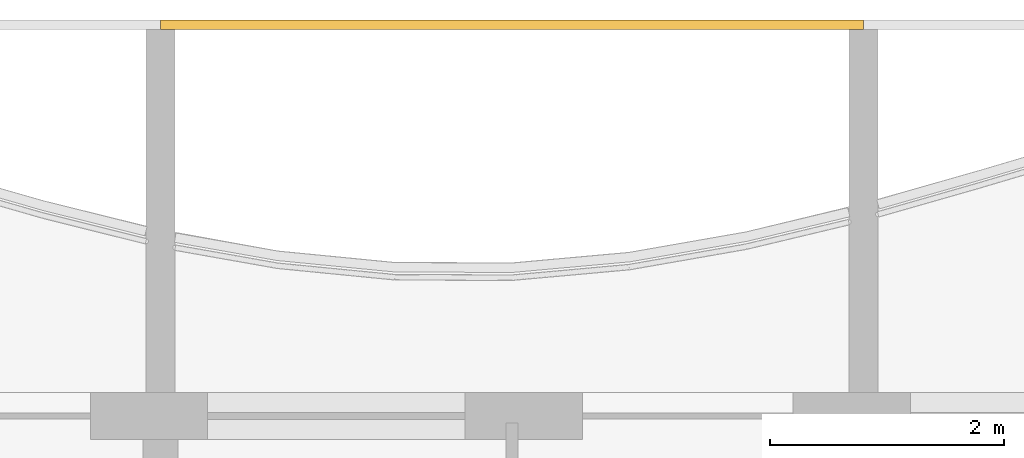
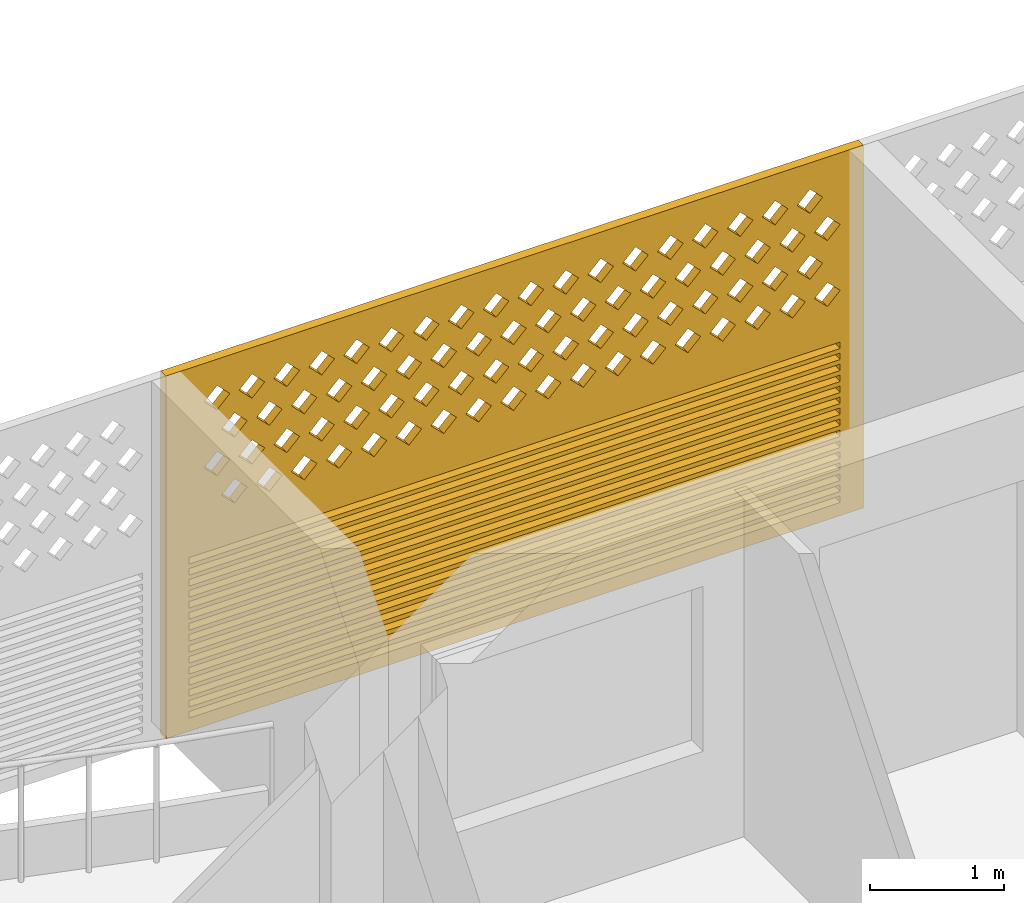
# One storey, part 20 of 32: 1 covering.
"""IFC4 building model written with IfcOpenShell, lengths in metres."""

import ifcopenshell
import ifcopenshell.guid

model = None  # the IFC model being written
_history = None  # IfcOwnerHistory: only IFC2X3 demands one
_inside = {}  # id of a spatial element -> (the spatial element, [elements in it])
_under = {}  # id of a project, library or spatial element -> (it, [spatial elements below it])
_declared = {}  # id of a project -> (the project, [libraries it declares])
_typed = {}  # id of a type object -> (the type object, [elements of that type])
_made_of = {}  # id of a material, layer set ... -> (it, [elements and type objects made of it])


def new_model(schema):
    """Start an empty IFC model of exactly this schema.

    Asked for "IFC4X3", IfcOpenShell would pick the latest addendum, in which some entities
    have other attributes; the version numbers below select the first issue.
    IFC2X3 requires an IfcOwnerHistory on every rooted entity: one is made here for all.
    """
    global model, _history
    if schema == "IFC4X3":
        model = ifcopenshell.file(schema_version=(4, 3, 0, 0))
    else:
        model = ifcopenshell.file(schema=schema)
    _inside.clear()
    _under.clear()
    _declared.clear()
    _typed.clear()
    _made_of.clear()
    _history = None
    if model.schema == "IFC2X3":
        org = make("IfcOrganization", Name="unknown")
        user = make(
            "IfcPersonAndOrganization",
            ThePerson=make("IfcPerson", FamilyName="unknown"),
            TheOrganization=org,
        )
        app = make(
            "IfcApplication",
            ApplicationDeveloper=org,
            Version="unknown",
            ApplicationFullName="unknown",
            ApplicationIdentifier="unknown",
        )
        _history = make(
            "IfcOwnerHistory",
            OwningUser=user,
            OwningApplication=app,
            ChangeAction="ADDED",
            CreationDate=0,
        )
    return model


def make(cls, **values):
    """One entity of the class cls with the attributes given. An attribute that is None is left unset."""
    return model.create_entity(
        cls, **{name: value for name, value in values.items() if value is not None}
    )


def rooted(cls, **values):
    """An entity with a GlobalId (a new one), such as an element, a storey or a relation."""
    return make(cls, GlobalId=ifcopenshell.guid.new(), OwnerHistory=_history, **values)


def si_unit(unit_type, name, prefix=None):
    """IfcSIUnit, for example si_unit("LENGTHUNIT", "METRE", prefix="MILLI")."""
    return make("IfcSIUnit", UnitType=unit_type, Prefix=prefix, Name=name)


def assignment(units):
    """IfcUnitAssignment: the units of a project."""
    return None if units is None else make("IfcUnitAssignment", Units=units)


def point(xyz):
    """IfcCartesianPoint."""
    return None if xyz is None else make("IfcCartesianPoint", Coordinates=xyz)


def direction(xyz):
    """IfcDirection."""
    return None if xyz is None else make("IfcDirection", DirectionRatios=xyz)


def frame(location, z_axis=None, x_axis=None):
    """IfcAxis2Placement3D, a coordinate frame: its origin and axes. An axis left out is left unset."""
    return make(
        "IfcAxis2Placement3D",
        Location=point(location),
        Axis=direction(z_axis),
        RefDirection=direction(x_axis),
    )


def origin():
    """The frame at (0, 0, 0) with its axes left unset."""
    return frame((0.0, 0.0, 0.0))


def place(relative_to, where):
    """IfcLocalPlacement: puts the frame where relative to a parent placement (None: the world)."""
    return make(
        "IfcLocalPlacement", PlacementRelTo=relative_to, RelativePlacement=where
    )


def context(
    kind, dimensions, precision=None, world=None, true_north=None, identifier=None
):
    """IfcGeometricRepresentationContext, for example the 3D "Model" context."""
    return make(
        "IfcGeometricRepresentationContext",
        ContextIdentifier=identifier,
        ContextType=kind,
        CoordinateSpaceDimension=dimensions,
        Precision=precision,
        WorldCoordinateSystem=world,
        TrueNorth=true_north,
    )


def subcontext(parent, identifier, kind, view, scale=None):
    """IfcGeometricRepresentationSubContext, for example "Body" below "Model"."""
    return make(
        "IfcGeometricRepresentationSubContext",
        ContextIdentifier=identifier,
        ContextType=kind,
        ParentContext=parent,
        TargetScale=scale,
        TargetView=view,
    )


def project(units=None, contexts=None):
    """IfcProject with its units and contexts."""
    return rooted(
        "IfcProject",
        Name="project",
        RepresentationContexts=contexts,
        UnitsInContext=assignment(units),
    )


def spatial(cls, under=None, at=None, **own):
    """A site, building, storey or space (cls), placed at a placement, below another one or the project."""
    s = rooted(cls, ObjectPlacement=at, **own)
    if under is not None:
        _under.setdefault(under.id(), (under, []))[1].append(s)
    return s


def polyline(points):
    """IfcPolyline through the points."""
    return make("IfcPolyline", Points=[point(p) for p in points])


def outline(outer, holes=None, kind="AREA"):
    """IfcArbitraryClosedProfileDef: a profile drawn as a closed curve; with holes, ...WithVoids."""
    if holes is None:
        return make("IfcArbitraryClosedProfileDef", ProfileType=kind, OuterCurve=outer)
    return make(
        "IfcArbitraryProfileDefWithVoids",
        ProfileType=kind,
        OuterCurve=outer,
        InnerCurves=holes,
    )


def extrude(swept, where, along, depth):
    """IfcExtrudedAreaSolid: the profile swept, set in the frame where, extruded along a direction by depth."""
    return make(
        "IfcExtrudedAreaSolid",
        SweptArea=swept,
        Position=where,
        ExtrudedDirection=direction(along),
        Depth=depth,
    )


def shape(context_of_items, identifier, shape_type, items):
    """IfcShapeRepresentation: the items that make up one representation, for example the "Body"."""
    return make(
        "IfcShapeRepresentation",
        ContextOfItems=context_of_items,
        RepresentationIdentifier=identifier,
        RepresentationType=shape_type,
        Items=items,
    )


def source(mapping_origin, context_of_items, identifier, shape_type, items):
    """IfcRepresentationMap: a shape defined once, which mapped items show again and again."""
    return make(
        "IfcRepresentationMap",
        MappingOrigin=mapping_origin,
        MappedRepresentation=shape(context_of_items, identifier, shape_type, items),
    )


def transform(
    local_origin,
    x_axis=None,
    y_axis=None,
    z_axis=None,
    scale=None,
    scale2=None,
    scale3=None,
    uniform=True,
):
    """IfcCartesianTransformationOperator3D, or its non-uniform kind. x_axis, y_axis, z_axis: its Axis1, 2, 3."""
    if uniform:
        return make(
            "IfcCartesianTransformationOperator3D",
            Axis1=direction(x_axis),
            Axis2=direction(y_axis),
            LocalOrigin=point(local_origin),
            Scale=scale,
            Axis3=direction(z_axis),
        )
    return make(
        "IfcCartesianTransformationOperator3DnonUniform",
        Axis1=direction(x_axis),
        Axis2=direction(y_axis),
        LocalOrigin=point(local_origin),
        Scale=scale,
        Axis3=direction(z_axis),
        Scale2=scale2,
        Scale3=scale3,
    )


def mapped(mapping_source, mapping_target):
    """IfcMappedItem: shows the shape of a source again, moved by a transform."""
    return make(
        "IfcMappedItem", MappingSource=mapping_source, MappingTarget=mapping_target
    )


def material(Name=None, Category=None):
    """IfcMaterial."""
    return make("IfcMaterial", Name=Name, Category=Category)


def material_profile(
    of_material, cross_section, Name=None, Category=None, Priority=None
):
    """IfcMaterialProfile: a cross section and its material."""
    return make(
        "IfcMaterialProfile",
        Name=Name,
        Material=of_material,
        Profile=cross_section,
        Priority=Priority,
        Category=Category,
    )


def profile_set(profiles, Name=None, composite=None):
    """IfcMaterialProfileSet."""
    return make(
        "IfcMaterialProfileSet",
        Name=Name,
        MaterialProfiles=profiles,
        CompositeProfile=composite,
    )


def made_of(thing, what):
    """Note that an element or type object is made of a material, layer set ...; save() writes the relation."""
    if what is not None:
        _made_of.setdefault(what.id(), (what, []))[1].append(thing)
    return thing


def type_object(cls, material=None, **own):
    """A type object (cls), such as IfcWallType, which elements share."""
    return made_of(rooted(cls, **own), material)


def element(
    cls,
    number,
    at=None,
    inside=None,
    cuts=None,
    type_object=None,
    material=None,
    context=None,
    identifier="Body",
    shape_type=None,
    held_by="IfcProductDefinitionShape",
    body=None,
    shapes=None,
    **own,
):
    """One element of the class cls, such as IfcWall. Its Tag is "e" and its number.

    at: its placement. inside: the storey or other place that contains it. cuts: it is an
    opening in that element (IfcRelVoidsElement). A single representation is given by context,
    identifier, shape_type and body (its items); several are given by shapes. held_by: the class
    of the entity that holds the representations. save() writes the other relations.
    """
    e = rooted(cls, Tag="e%d" % number, ObjectPlacement=at, **own)
    if body is not None:
        shapes = [shape(context, identifier, shape_type, body)]
    if shapes is not None:
        e.Representation = make(held_by, Representations=shapes)
    if inside is not None:
        _inside.setdefault(inside.id(), (inside, []))[1].append(e)
    if cuts is not None:
        rooted(
            "IfcRelVoidsElement", RelatingBuildingElement=cuts, RelatedOpeningElement=e
        )
    if type_object is not None:
        _typed.setdefault(type_object.id(), (type_object, []))[1].append(e)
    return made_of(e, material)


def aggregate(whole, parts):
    """IfcRelAggregates: a whole, such as a stair, and the parts it consists of."""
    return rooted("IfcRelAggregates", RelatingObject=whole, RelatedObjects=parts)


def save(model, path):
    """Write the relations noted so far, then the file.

    IfcRelAggregates (storeys below a building ...), IfcRelContainedInSpatialStructure (elements
    in a storey), IfcRelDefinesByType, IfcRelAssociatesMaterial and IfcRelDeclares: one each for
    every whole, place, type object, material and project.
    """
    for whole, parts in _under.values():
        aggregate(whole, parts)
    for where, things in _inside.values():
        rooted(
            "IfcRelContainedInSpatialStructure",
            RelatedElements=things,
            RelatingStructure=where,
        )
    for kind, things in _typed.values():
        rooted("IfcRelDefinesByType", RelatedObjects=things, RelatingType=kind)
    for what, things in _made_of.values():
        rooted("IfcRelAssociatesMaterial", RelatedObjects=things, RelatingMaterial=what)
    for by, libraries in _declared.values():
        rooted("IfcRelDeclares", RelatingContext=by, RelatedDefinitions=libraries)
    model.write(path)


model = new_model("IFC4")

# Units and contexts
model_context = context("Model", 3, precision=1e-05, world=origin(), true_north=direction((0.0, 1.0)))
body_context = subcontext(model_context, "Body", "Model", "MODEL_VIEW")
ifc_project = project(units=[si_unit("LENGTHUNIT", "METRE"), si_unit("AREAUNIT", "SQUARE_METRE"), si_unit("VOLUMEUNIT", "CUBIC_METRE"), si_unit("PLANEANGLEUNIT", "RADIAN"), si_unit("MASSUNIT", "GRAM", prefix="KILO")], contexts=[model_context])

# Site, building, storey
site_placement = place(None, origin())
site = spatial("IfcSite", under=ifc_project, at=site_placement, CompositionType="ELEMENT")
building_placement = place(site_placement, origin())
building = spatial("IfcBuilding", under=site, at=building_placement, Name="Poui Terraces", CompositionType="ELEMENT")
storey_placement = place(building_placement, frame((0.0, 0.0, 129.0)))
storey = spatial("IfcBuildingStorey", under=building, at=storey_placement, Name="L35", CompositionType="ELEMENT", Elevation=129.0)

# Covering
ifc_material = material(Name="Terracotta screen", Category="masonry")
ifc_material_profile = material_profile(ifc_material, outline(polyline([(-3.0, -1.64990234375), (3.0, -1.64990234375), (3.0, 1.64990234375), (-3.0, 1.64990234375), (-3.0, -1.64990234375)]), holes=[polyline([(-2.800048828125, 0.39990234375), (-2.68994140625, 0.2900390625), (-2.580078125, 0.39990234375), (-2.68994140625, 0.510009765625), (-2.800048828125, 0.39990234375)]), polyline([(-2.5, 0.39990234375), (-2.389892578125, 0.2900390625), (-2.280029296875, 0.39990234375), (-2.389892578125, 0.510009765625), (-2.5, 0.39990234375)]), polyline([(-2.199951171875, 0.39990234375), (-2.090087890625, 0.2900390625), (-1.97998046875, 0.39990234375), (-2.090087890625, 0.510009765625), (-2.199951171875, 0.39990234375)]), polyline([(-1.89990234375, 0.39990234375), (-1.7900390625, 0.2900390625), (-1.679931640625, 0.39990234375), (-1.7900390625, 0.510009765625), (-1.89990234375, 0.39990234375)]), polyline([(-1.60009765625, 0.39990234375), (-1.489990234375, 0.2900390625), (-1.3798828125, 0.39990234375), (-1.489990234375, 0.510009765625), (-1.60009765625, 0.39990234375)]), polyline([(-1.300048828125, 0.39990234375), (-1.18994140625, 0.2900390625), (-1.080078125, 0.39990234375), (-1.18994140625, 0.510009765625), (-1.300048828125, 0.39990234375)]), polyline([(-1.0, 0.39990234375), (-0.889892578125, 0.2900390625), (-0.780029296875, 0.39990234375), (-0.889892578125, 0.510009765625), (-1.0, 0.39990234375)]), polyline([(-0.699951171875, 0.39990234375), (-0.590087890625, 0.2900390625), (-0.47998046875, 0.39990234375), (-0.590087890625, 0.510009765625), (-0.699951171875, 0.39990234375)]), polyline([(-0.39990234375, 0.39990234375), (-0.2900390625, 0.2900390625), (-0.179931640625, 0.39990234375), (-0.2900390625, 0.510009765625), (-0.39990234375, 0.39990234375)]), polyline([(-0.10009765625, 0.39990234375), (0.010009765625, 0.2900390625), (0.1201171875, 0.39990234375), (0.010009765625, 0.510009765625), (-0.10009765625, 0.39990234375)]), polyline([(0.199951171875, 0.39990234375), (0.31005859375, 0.2900390625), (0.419921875, 0.39990234375), (0.31005859375, 0.510009765625), (0.199951171875, 0.39990234375)]), polyline([(0.5, 0.39990234375), (0.610107421875, 0.2900390625), (0.719970703125, 0.39990234375), (0.610107421875, 0.510009765625), (0.5, 0.39990234375)]), polyline([(0.800048828125, 0.39990234375), (0.909912109375, 0.2900390625), (1.02001953125, 0.39990234375), (0.909912109375, 0.510009765625), (0.800048828125, 0.39990234375)]), polyline([(1.10009765625, 0.39990234375), (1.2099609375, 0.2900390625), (1.320068359375, 0.39990234375), (1.2099609375, 0.510009765625), (1.10009765625, 0.39990234375)]), polyline([(1.39990234375, 0.39990234375), (1.510009765625, 0.2900390625), (1.6201171875, 0.39990234375), (1.510009765625, 0.510009765625), (1.39990234375, 0.39990234375)]), polyline([(1.699951171875, 0.39990234375), (1.81005859375, 0.2900390625), (1.919921875, 0.39990234375), (1.81005859375, 0.510009765625), (1.699951171875, 0.39990234375)]), polyline([(2.0, 0.39990234375), (2.110107421875, 0.2900390625), (2.219970703125, 0.39990234375), (2.110107421875, 0.510009765625), (2.0, 0.39990234375)]), polyline([(2.300048828125, 0.39990234375), (2.409912109375, 0.2900390625), (2.52001953125, 0.39990234375), (2.409912109375, 0.510009765625), (2.300048828125, 0.39990234375)]), polyline([(-2.64990234375, 0.699951171875), (-2.5400390625, 0.590087890625), (-2.429931640625, 0.699951171875), (-2.5400390625, 0.81005859375), (-2.64990234375, 0.699951171875)]), polyline([(-2.35009765625, 0.699951171875), (-2.239990234375, 0.590087890625), (-2.1298828125, 0.699951171875), (-2.239990234375, 0.81005859375), (-2.35009765625, 0.699951171875)]), polyline([(-2.050048828125, 0.699951171875), (-1.93994140625, 0.590087890625), (-1.830078125, 0.699951171875), (-1.93994140625, 0.81005859375), (-2.050048828125, 0.699951171875)]), polyline([(-1.75, 0.699951171875), (-1.639892578125, 0.590087890625), (-1.530029296875, 0.699951171875), (-1.639892578125, 0.81005859375), (-1.75, 0.699951171875)]), polyline([(-1.449951171875, 0.699951171875), (-1.340087890625, 0.590087890625), (-1.22998046875, 0.699951171875), (-1.340087890625, 0.81005859375), (-1.449951171875, 0.699951171875)]), polyline([(-1.14990234375, 0.699951171875), (-1.0400390625, 0.590087890625), (-0.929931640625, 0.699951171875), (-1.0400390625, 0.81005859375), (-1.14990234375, 0.699951171875)]), polyline([(-0.85009765625, 0.699951171875), (-0.739990234375, 0.590087890625), (-0.6298828125, 0.699951171875), (-0.739990234375, 0.81005859375), (-0.85009765625, 0.699951171875)]), polyline([(-0.550048828125, 0.699951171875), (-0.43994140625, 0.590087890625), (-0.330078125, 0.699951171875), (-0.43994140625, 0.81005859375), (-0.550048828125, 0.699951171875)]), polyline([(-0.25, 0.699951171875), (-0.139892578125, 0.590087890625), (-0.030029296875, 0.699951171875), (-0.139892578125, 0.81005859375), (-0.25, 0.699951171875)]), polyline([(0.050048828125, 0.699951171875), (0.159912109375, 0.590087890625), (0.27001953125, 0.699951171875), (0.159912109375, 0.81005859375), (0.050048828125, 0.699951171875)]), polyline([(0.35009765625, 0.699951171875), (0.4599609375, 0.590087890625), (0.570068359375, 0.699951171875), (0.4599609375, 0.81005859375), (0.35009765625, 0.699951171875)]), polyline([(0.64990234375, 0.699951171875), (0.760009765625, 0.590087890625), (0.8701171875, 0.699951171875), (0.760009765625, 0.81005859375), (0.64990234375, 0.699951171875)]), polyline([(0.949951171875, 0.699951171875), (1.06005859375, 0.590087890625), (1.169921875, 0.699951171875), (1.06005859375, 0.81005859375), (0.949951171875, 0.699951171875)]), polyline([(1.25, 0.699951171875), (1.360107421875, 0.590087890625), (1.469970703125, 0.699951171875), (1.360107421875, 0.81005859375), (1.25, 0.699951171875)]), polyline([(1.550048828125, 0.699951171875), (1.659912109375, 0.590087890625), (1.77001953125, 0.699951171875), (1.659912109375, 0.81005859375), (1.550048828125, 0.699951171875)]), polyline([(1.85009765625, 0.699951171875), (1.9599609375, 0.590087890625), (2.070068359375, 0.699951171875), (1.9599609375, 0.81005859375), (1.85009765625, 0.699951171875)]), polyline([(2.14990234375, 0.699951171875), (2.260009765625, 0.590087890625), (2.3701171875, 0.699951171875), (2.260009765625, 0.81005859375), (2.14990234375, 0.699951171875)]), polyline([(2.449951171875, 0.699951171875), (2.56005859375, 0.590087890625), (2.669921875, 0.699951171875), (2.56005859375, 0.81005859375), (2.449951171875, 0.699951171875)]), polyline([(-2.800048828125, 1.0), (-2.68994140625, 0.889892578125), (-2.580078125, 1.0), (-2.68994140625, 1.110107421875), (-2.800048828125, 1.0)]), polyline([(-2.5, 1.0), (-2.389892578125, 0.889892578125), (-2.280029296875, 1.0), (-2.389892578125, 1.110107421875), (-2.5, 1.0)]), polyline([(-2.199951171875, 1.0), (-2.090087890625, 0.889892578125), (-1.97998046875, 1.0), (-2.090087890625, 1.110107421875), (-2.199951171875, 1.0)]), polyline([(-1.89990234375, 1.0), (-1.7900390625, 0.889892578125), (-1.679931640625, 1.0), (-1.7900390625, 1.110107421875), (-1.89990234375, 1.0)]), polyline([(-1.60009765625, 1.0), (-1.489990234375, 0.889892578125), (-1.3798828125, 1.0), (-1.489990234375, 1.110107421875), (-1.60009765625, 1.0)]), polyline([(-1.300048828125, 1.0), (-1.18994140625, 0.889892578125), (-1.080078125, 1.0), (-1.18994140625, 1.110107421875), (-1.300048828125, 1.0)]), polyline([(-1.0, 1.0), (-0.889892578125, 0.889892578125), (-0.780029296875, 1.0), (-0.889892578125, 1.110107421875), (-1.0, 1.0)]), polyline([(-0.699951171875, 1.0), (-0.590087890625, 0.889892578125), (-0.47998046875, 1.0), (-0.590087890625, 1.110107421875), (-0.699951171875, 1.0)]), polyline([(-0.39990234375, 1.0), (-0.2900390625, 0.889892578125), (-0.179931640625, 1.0), (-0.2900390625, 1.110107421875), (-0.39990234375, 1.0)]), polyline([(-0.10009765625, 1.0), (0.010009765625, 0.889892578125), (0.1201171875, 1.0), (0.010009765625, 1.110107421875), (-0.10009765625, 1.0)]), polyline([(0.199951171875, 1.0), (0.31005859375, 0.889892578125), (0.419921875, 1.0), (0.31005859375, 1.110107421875), (0.199951171875, 1.0)]), polyline([(0.5, 1.0), (0.610107421875, 0.889892578125), (0.719970703125, 1.0), (0.610107421875, 1.110107421875), (0.5, 1.0)]), polyline([(0.800048828125, 1.0), (0.909912109375, 0.889892578125), (1.02001953125, 1.0), (0.909912109375, 1.110107421875), (0.800048828125, 1.0)]), polyline([(1.10009765625, 1.0), (1.2099609375, 0.889892578125), (1.320068359375, 1.0), (1.2099609375, 1.110107421875), (1.10009765625, 1.0)]), polyline([(1.39990234375, 1.0), (1.510009765625, 0.889892578125), (1.6201171875, 1.0), (1.510009765625, 1.110107421875), (1.39990234375, 1.0)]), polyline([(1.699951171875, 1.0), (1.81005859375, 0.889892578125), (1.919921875, 1.0), (1.81005859375, 1.110107421875), (1.699951171875, 1.0)]), polyline([(2.0, 1.0), (2.110107421875, 0.889892578125), (2.219970703125, 1.0), (2.110107421875, 1.110107421875), (2.0, 1.0)]), polyline([(2.300048828125, 1.0), (2.409912109375, 0.889892578125), (2.52001953125, 1.0), (2.409912109375, 1.110107421875), (2.300048828125, 1.0)]), polyline([(-2.64990234375, 1.300048828125), (-2.5400390625, 1.18994140625), (-2.429931640625, 1.300048828125), (-2.5400390625, 1.409912109375), (-2.64990234375, 1.300048828125)]), polyline([(-2.35009765625, 1.300048828125), (-2.239990234375, 1.18994140625), (-2.1298828125, 1.300048828125), (-2.239990234375, 1.409912109375), (-2.35009765625, 1.300048828125)]), polyline([(-2.050048828125, 1.300048828125), (-1.93994140625, 1.18994140625), (-1.830078125, 1.300048828125), (-1.93994140625, 1.409912109375), (-2.050048828125, 1.300048828125)]), polyline([(-1.75, 1.300048828125), (-1.639892578125, 1.18994140625), (-1.530029296875, 1.300048828125), (-1.639892578125, 1.409912109375), (-1.75, 1.300048828125)]), polyline([(-1.449951171875, 1.300048828125), (-1.340087890625, 1.18994140625), (-1.22998046875, 1.300048828125), (-1.340087890625, 1.409912109375), (-1.449951171875, 1.300048828125)]), polyline([(-1.14990234375, 1.300048828125), (-1.0400390625, 1.18994140625), (-0.929931640625, 1.300048828125), (-1.0400390625, 1.409912109375), (-1.14990234375, 1.300048828125)]), polyline([(-0.85009765625, 1.300048828125), (-0.739990234375, 1.18994140625), (-0.6298828125, 1.300048828125), (-0.739990234375, 1.409912109375), (-0.85009765625, 1.300048828125)]), polyline([(-0.550048828125, 1.300048828125), (-0.43994140625, 1.18994140625), (-0.330078125, 1.300048828125), (-0.43994140625, 1.409912109375), (-0.550048828125, 1.300048828125)]), polyline([(-0.25, 1.300048828125), (-0.139892578125, 1.18994140625), (-0.030029296875, 1.300048828125), (-0.139892578125, 1.409912109375), (-0.25, 1.300048828125)]), polyline([(0.050048828125, 1.300048828125), (0.159912109375, 1.18994140625), (0.27001953125, 1.300048828125), (0.159912109375, 1.409912109375), (0.050048828125, 1.300048828125)]), polyline([(0.35009765625, 1.300048828125), (0.4599609375, 1.18994140625), (0.570068359375, 1.300048828125), (0.4599609375, 1.409912109375), (0.35009765625, 1.300048828125)]), polyline([(0.64990234375, 1.300048828125), (0.760009765625, 1.18994140625), (0.8701171875, 1.300048828125), (0.760009765625, 1.409912109375), (0.64990234375, 1.300048828125)]), polyline([(0.949951171875, 1.300048828125), (1.06005859375, 1.18994140625), (1.169921875, 1.300048828125), (1.06005859375, 1.409912109375), (0.949951171875, 1.300048828125)]), polyline([(1.25, 1.300048828125), (1.360107421875, 1.18994140625), (1.469970703125, 1.300048828125), (1.360107421875, 1.409912109375), (1.25, 1.300048828125)]), polyline([(1.550048828125, 1.300048828125), (1.659912109375, 1.18994140625), (1.77001953125, 1.300048828125), (1.659912109375, 1.409912109375), (1.550048828125, 1.300048828125)]), polyline([(1.85009765625, 1.300048828125), (1.9599609375, 1.18994140625), (2.070068359375, 1.300048828125), (1.9599609375, 1.409912109375), (1.85009765625, 1.300048828125)]), polyline([(2.14990234375, 1.300048828125), (2.260009765625, 1.18994140625), (2.3701171875, 1.300048828125), (2.260009765625, 1.409912109375), (2.14990234375, 1.300048828125)]), polyline([(2.449951171875, 1.300048828125), (2.56005859375, 1.18994140625), (2.669921875, 1.300048828125), (2.56005859375, 1.409912109375), (2.449951171875, 1.300048828125)]), polyline([(-2.800048828125, -1.530029296875), (2.800048828125, -1.530029296875), (2.800048828125, -1.469970703125), (-2.800048828125, -1.469970703125), (-2.800048828125, -1.530029296875)]), polyline([(-2.800048828125, -1.429931640625), (2.800048828125, -1.429931640625), (2.800048828125, -1.3701171875), (-2.800048828125, -1.3701171875), (-2.800048828125, -1.429931640625)]), polyline([(-2.800048828125, -1.330078125), (2.800048828125, -1.330078125), (2.800048828125, -1.27001953125), (-2.800048828125, -1.27001953125), (-2.800048828125, -1.330078125)]), polyline([(-2.800048828125, -1.22998046875), (2.800048828125, -1.22998046875), (2.800048828125, -1.169921875), (-2.800048828125, -1.169921875), (-2.800048828125, -1.22998046875)]), polyline([(-2.800048828125, -1.1298828125), (2.800048828125, -1.1298828125), (2.800048828125, -1.070068359375), (-2.800048828125, -1.070068359375), (-2.800048828125, -1.1298828125)]), polyline([(-2.800048828125, -1.030029296875), (2.800048828125, -1.030029296875), (2.800048828125, -0.969970703125), (-2.800048828125, -0.969970703125), (-2.800048828125, -1.030029296875)]), polyline([(-2.800048828125, -0.929931640625), (2.800048828125, -0.929931640625), (2.800048828125, -0.8701171875), (-2.800048828125, -0.8701171875), (-2.800048828125, -0.929931640625)]), polyline([(-2.800048828125, -0.830078125), (2.800048828125, -0.830078125), (2.800048828125, -0.77001953125), (-2.800048828125, -0.77001953125), (-2.800048828125, -0.830078125)]), polyline([(-2.800048828125, -0.72998046875), (2.800048828125, -0.72998046875), (2.800048828125, -0.669921875), (-2.800048828125, -0.669921875), (-2.800048828125, -0.72998046875)]), polyline([(-2.800048828125, -0.6298828125), (2.800048828125, -0.6298828125), (2.800048828125, -0.570068359375), (-2.800048828125, -0.570068359375), (-2.800048828125, -0.6298828125)]), polyline([(-2.800048828125, -0.530029296875), (2.800048828125, -0.530029296875), (2.800048828125, -0.469970703125), (-2.800048828125, -0.469970703125), (-2.800048828125, -0.530029296875)]), polyline([(-2.800048828125, -0.429931640625), (2.800048828125, -0.429931640625), (2.800048828125, -0.3701171875), (-2.800048828125, -0.3701171875), (-2.800048828125, -0.429931640625)]), polyline([(-2.800048828125, -0.330078125), (2.800048828125, -0.330078125), (2.800048828125, -0.27001953125), (-2.800048828125, -0.27001953125), (-2.800048828125, -0.330078125)]), polyline([(-2.800048828125, -0.22998046875), (2.800048828125, -0.22998046875), (2.800048828125, -0.169921875), (-2.800048828125, -0.169921875), (-2.800048828125, -0.22998046875)]), polyline([(-2.800048828125, -0.1298828125), (2.800048828125, -0.1298828125), (2.800048828125, -0.070068359375), (-2.800048828125, -0.070068359375), (-2.800048828125, -0.1298828125)])]), Name="TERRACOTTA SCREEN AND JALOUSIE LOUVRE 6000X3300")
ifc_profile_set = profile_set([ifc_material_profile], Name="Terracotta screen")
covering_type = type_object("IfcCoveringType", Name="TERRACOTTA SCREEN AND JALOUSIE LOUVRE 6000X3300", PredefinedType="CLADDING", material=ifc_profile_set)
shared_shape = source(origin(), body_context, "Body", "SweptSolid", [
    extrude(outline(polyline([(-3.0, -1.64990234375), (3.0, -1.64990234375), (3.0, 1.64990234375), (-3.0, 1.64990234375), (-3.0, -1.64990234375)]), holes=[polyline([(-2.800048828125, 0.39990234375), (-2.68994140625, 0.2900390625), (-2.580078125, 0.39990234375), (-2.68994140625, 0.510009765625), (-2.800048828125, 0.39990234375)]), polyline([(-2.5, 0.39990234375), (-2.389892578125, 0.2900390625), (-2.280029296875, 0.39990234375), (-2.389892578125, 0.510009765625), (-2.5, 0.39990234375)]), polyline([(-2.199951171875, 0.39990234375), (-2.090087890625, 0.2900390625), (-1.97998046875, 0.39990234375), (-2.090087890625, 0.510009765625), (-2.199951171875, 0.39990234375)]), polyline([(-1.89990234375, 0.39990234375), (-1.7900390625, 0.2900390625), (-1.679931640625, 0.39990234375), (-1.7900390625, 0.510009765625), (-1.89990234375, 0.39990234375)]), polyline([(-1.60009765625, 0.39990234375), (-1.489990234375, 0.2900390625), (-1.3798828125, 0.39990234375), (-1.489990234375, 0.510009765625), (-1.60009765625, 0.39990234375)]), polyline([(-1.300048828125, 0.39990234375), (-1.18994140625, 0.2900390625), (-1.080078125, 0.39990234375), (-1.18994140625, 0.510009765625), (-1.300048828125, 0.39990234375)]), polyline([(-1.0, 0.39990234375), (-0.889892578125, 0.2900390625), (-0.780029296875, 0.39990234375), (-0.889892578125, 0.510009765625), (-1.0, 0.39990234375)]), polyline([(-0.699951171875, 0.39990234375), (-0.590087890625, 0.2900390625), (-0.47998046875, 0.39990234375), (-0.590087890625, 0.510009765625), (-0.699951171875, 0.39990234375)]), polyline([(-0.39990234375, 0.39990234375), (-0.2900390625, 0.2900390625), (-0.179931640625, 0.39990234375), (-0.2900390625, 0.510009765625), (-0.39990234375, 0.39990234375)]), polyline([(-0.10009765625, 0.39990234375), (0.010009765625, 0.2900390625), (0.1201171875, 0.39990234375), (0.010009765625, 0.510009765625), (-0.10009765625, 0.39990234375)]), polyline([(0.199951171875, 0.39990234375), (0.31005859375, 0.2900390625), (0.419921875, 0.39990234375), (0.31005859375, 0.510009765625), (0.199951171875, 0.39990234375)]), polyline([(0.5, 0.39990234375), (0.610107421875, 0.2900390625), (0.719970703125, 0.39990234375), (0.610107421875, 0.510009765625), (0.5, 0.39990234375)]), polyline([(0.800048828125, 0.39990234375), (0.909912109375, 0.2900390625), (1.02001953125, 0.39990234375), (0.909912109375, 0.510009765625), (0.800048828125, 0.39990234375)]), polyline([(1.10009765625, 0.39990234375), (1.2099609375, 0.2900390625), (1.320068359375, 0.39990234375), (1.2099609375, 0.510009765625), (1.10009765625, 0.39990234375)]), polyline([(1.39990234375, 0.39990234375), (1.510009765625, 0.2900390625), (1.6201171875, 0.39990234375), (1.510009765625, 0.510009765625), (1.39990234375, 0.39990234375)]), polyline([(1.699951171875, 0.39990234375), (1.81005859375, 0.2900390625), (1.919921875, 0.39990234375), (1.81005859375, 0.510009765625), (1.699951171875, 0.39990234375)]), polyline([(2.0, 0.39990234375), (2.110107421875, 0.2900390625), (2.219970703125, 0.39990234375), (2.110107421875, 0.510009765625), (2.0, 0.39990234375)]), polyline([(2.300048828125, 0.39990234375), (2.409912109375, 0.2900390625), (2.52001953125, 0.39990234375), (2.409912109375, 0.510009765625), (2.300048828125, 0.39990234375)]), polyline([(-2.64990234375, 0.699951171875), (-2.5400390625, 0.590087890625), (-2.429931640625, 0.699951171875), (-2.5400390625, 0.81005859375), (-2.64990234375, 0.699951171875)]), polyline([(-2.35009765625, 0.699951171875), (-2.239990234375, 0.590087890625), (-2.1298828125, 0.699951171875), (-2.239990234375, 0.81005859375), (-2.35009765625, 0.699951171875)]), polyline([(-2.050048828125, 0.699951171875), (-1.93994140625, 0.590087890625), (-1.830078125, 0.699951171875), (-1.93994140625, 0.81005859375), (-2.050048828125, 0.699951171875)]), polyline([(-1.75, 0.699951171875), (-1.639892578125, 0.590087890625), (-1.530029296875, 0.699951171875), (-1.639892578125, 0.81005859375), (-1.75, 0.699951171875)]), polyline([(-1.449951171875, 0.699951171875), (-1.340087890625, 0.590087890625), (-1.22998046875, 0.699951171875), (-1.340087890625, 0.81005859375), (-1.449951171875, 0.699951171875)]), polyline([(-1.14990234375, 0.699951171875), (-1.0400390625, 0.590087890625), (-0.929931640625, 0.699951171875), (-1.0400390625, 0.81005859375), (-1.14990234375, 0.699951171875)]), polyline([(-0.85009765625, 0.699951171875), (-0.739990234375, 0.590087890625), (-0.6298828125, 0.699951171875), (-0.739990234375, 0.81005859375), (-0.85009765625, 0.699951171875)]), polyline([(-0.550048828125, 0.699951171875), (-0.43994140625, 0.590087890625), (-0.330078125, 0.699951171875), (-0.43994140625, 0.81005859375), (-0.550048828125, 0.699951171875)]), polyline([(-0.25, 0.699951171875), (-0.139892578125, 0.590087890625), (-0.030029296875, 0.699951171875), (-0.139892578125, 0.81005859375), (-0.25, 0.699951171875)]), polyline([(0.050048828125, 0.699951171875), (0.159912109375, 0.590087890625), (0.27001953125, 0.699951171875), (0.159912109375, 0.81005859375), (0.050048828125, 0.699951171875)]), polyline([(0.35009765625, 0.699951171875), (0.4599609375, 0.590087890625), (0.570068359375, 0.699951171875), (0.4599609375, 0.81005859375), (0.35009765625, 0.699951171875)]), polyline([(0.64990234375, 0.699951171875), (0.760009765625, 0.590087890625), (0.8701171875, 0.699951171875), (0.760009765625, 0.81005859375), (0.64990234375, 0.699951171875)]), polyline([(0.949951171875, 0.699951171875), (1.06005859375, 0.590087890625), (1.169921875, 0.699951171875), (1.06005859375, 0.81005859375), (0.949951171875, 0.699951171875)]), polyline([(1.25, 0.699951171875), (1.360107421875, 0.590087890625), (1.469970703125, 0.699951171875), (1.360107421875, 0.81005859375), (1.25, 0.699951171875)]), polyline([(1.550048828125, 0.699951171875), (1.659912109375, 0.590087890625), (1.77001953125, 0.699951171875), (1.659912109375, 0.81005859375), (1.550048828125, 0.699951171875)]), polyline([(1.85009765625, 0.699951171875), (1.9599609375, 0.590087890625), (2.070068359375, 0.699951171875), (1.9599609375, 0.81005859375), (1.85009765625, 0.699951171875)]), polyline([(2.14990234375, 0.699951171875), (2.260009765625, 0.590087890625), (2.3701171875, 0.699951171875), (2.260009765625, 0.81005859375), (2.14990234375, 0.699951171875)]), polyline([(2.449951171875, 0.699951171875), (2.56005859375, 0.590087890625), (2.669921875, 0.699951171875), (2.56005859375, 0.81005859375), (2.449951171875, 0.699951171875)]), polyline([(-2.800048828125, 1.0), (-2.68994140625, 0.889892578125), (-2.580078125, 1.0), (-2.68994140625, 1.110107421875), (-2.800048828125, 1.0)]), polyline([(-2.5, 1.0), (-2.389892578125, 0.889892578125), (-2.280029296875, 1.0), (-2.389892578125, 1.110107421875), (-2.5, 1.0)]), polyline([(-2.199951171875, 1.0), (-2.090087890625, 0.889892578125), (-1.97998046875, 1.0), (-2.090087890625, 1.110107421875), (-2.199951171875, 1.0)]), polyline([(-1.89990234375, 1.0), (-1.7900390625, 0.889892578125), (-1.679931640625, 1.0), (-1.7900390625, 1.110107421875), (-1.89990234375, 1.0)]), polyline([(-1.60009765625, 1.0), (-1.489990234375, 0.889892578125), (-1.3798828125, 1.0), (-1.489990234375, 1.110107421875), (-1.60009765625, 1.0)]), polyline([(-1.300048828125, 1.0), (-1.18994140625, 0.889892578125), (-1.080078125, 1.0), (-1.18994140625, 1.110107421875), (-1.300048828125, 1.0)]), polyline([(-1.0, 1.0), (-0.889892578125, 0.889892578125), (-0.780029296875, 1.0), (-0.889892578125, 1.110107421875), (-1.0, 1.0)]), polyline([(-0.699951171875, 1.0), (-0.590087890625, 0.889892578125), (-0.47998046875, 1.0), (-0.590087890625, 1.110107421875), (-0.699951171875, 1.0)]), polyline([(-0.39990234375, 1.0), (-0.2900390625, 0.889892578125), (-0.179931640625, 1.0), (-0.2900390625, 1.110107421875), (-0.39990234375, 1.0)]), polyline([(-0.10009765625, 1.0), (0.010009765625, 0.889892578125), (0.1201171875, 1.0), (0.010009765625, 1.110107421875), (-0.10009765625, 1.0)]), polyline([(0.199951171875, 1.0), (0.31005859375, 0.889892578125), (0.419921875, 1.0), (0.31005859375, 1.110107421875), (0.199951171875, 1.0)]), polyline([(0.5, 1.0), (0.610107421875, 0.889892578125), (0.719970703125, 1.0), (0.610107421875, 1.110107421875), (0.5, 1.0)]), polyline([(0.800048828125, 1.0), (0.909912109375, 0.889892578125), (1.02001953125, 1.0), (0.909912109375, 1.110107421875), (0.800048828125, 1.0)]), polyline([(1.10009765625, 1.0), (1.2099609375, 0.889892578125), (1.320068359375, 1.0), (1.2099609375, 1.110107421875), (1.10009765625, 1.0)]), polyline([(1.39990234375, 1.0), (1.510009765625, 0.889892578125), (1.6201171875, 1.0), (1.510009765625, 1.110107421875), (1.39990234375, 1.0)]), polyline([(1.699951171875, 1.0), (1.81005859375, 0.889892578125), (1.919921875, 1.0), (1.81005859375, 1.110107421875), (1.699951171875, 1.0)]), polyline([(2.0, 1.0), (2.110107421875, 0.889892578125), (2.219970703125, 1.0), (2.110107421875, 1.110107421875), (2.0, 1.0)]), polyline([(2.300048828125, 1.0), (2.409912109375, 0.889892578125), (2.52001953125, 1.0), (2.409912109375, 1.110107421875), (2.300048828125, 1.0)]), polyline([(-2.64990234375, 1.300048828125), (-2.5400390625, 1.18994140625), (-2.429931640625, 1.300048828125), (-2.5400390625, 1.409912109375), (-2.64990234375, 1.300048828125)]), polyline([(-2.35009765625, 1.300048828125), (-2.239990234375, 1.18994140625), (-2.1298828125, 1.300048828125), (-2.239990234375, 1.409912109375), (-2.35009765625, 1.300048828125)]), polyline([(-2.050048828125, 1.300048828125), (-1.93994140625, 1.18994140625), (-1.830078125, 1.300048828125), (-1.93994140625, 1.409912109375), (-2.050048828125, 1.300048828125)]), polyline([(-1.75, 1.300048828125), (-1.639892578125, 1.18994140625), (-1.530029296875, 1.300048828125), (-1.639892578125, 1.409912109375), (-1.75, 1.300048828125)]), polyline([(-1.449951171875, 1.300048828125), (-1.340087890625, 1.18994140625), (-1.22998046875, 1.300048828125), (-1.340087890625, 1.409912109375), (-1.449951171875, 1.300048828125)]), polyline([(-1.14990234375, 1.300048828125), (-1.0400390625, 1.18994140625), (-0.929931640625, 1.300048828125), (-1.0400390625, 1.409912109375), (-1.14990234375, 1.300048828125)]), polyline([(-0.85009765625, 1.300048828125), (-0.739990234375, 1.18994140625), (-0.6298828125, 1.300048828125), (-0.739990234375, 1.409912109375), (-0.85009765625, 1.300048828125)]), polyline([(-0.550048828125, 1.300048828125), (-0.43994140625, 1.18994140625), (-0.330078125, 1.300048828125), (-0.43994140625, 1.409912109375), (-0.550048828125, 1.300048828125)]), polyline([(-0.25, 1.300048828125), (-0.139892578125, 1.18994140625), (-0.030029296875, 1.300048828125), (-0.139892578125, 1.409912109375), (-0.25, 1.300048828125)]), polyline([(0.050048828125, 1.300048828125), (0.159912109375, 1.18994140625), (0.27001953125, 1.300048828125), (0.159912109375, 1.409912109375), (0.050048828125, 1.300048828125)]), polyline([(0.35009765625, 1.300048828125), (0.4599609375, 1.18994140625), (0.570068359375, 1.300048828125), (0.4599609375, 1.409912109375), (0.35009765625, 1.300048828125)]), polyline([(0.64990234375, 1.300048828125), (0.760009765625, 1.18994140625), (0.8701171875, 1.300048828125), (0.760009765625, 1.409912109375), (0.64990234375, 1.300048828125)]), polyline([(0.949951171875, 1.300048828125), (1.06005859375, 1.18994140625), (1.169921875, 1.300048828125), (1.06005859375, 1.409912109375), (0.949951171875, 1.300048828125)]), polyline([(1.25, 1.300048828125), (1.360107421875, 1.18994140625), (1.469970703125, 1.300048828125), (1.360107421875, 1.409912109375), (1.25, 1.300048828125)]), polyline([(1.550048828125, 1.300048828125), (1.659912109375, 1.18994140625), (1.77001953125, 1.300048828125), (1.659912109375, 1.409912109375), (1.550048828125, 1.300048828125)]), polyline([(1.85009765625, 1.300048828125), (1.9599609375, 1.18994140625), (2.070068359375, 1.300048828125), (1.9599609375, 1.409912109375), (1.85009765625, 1.300048828125)]), polyline([(2.14990234375, 1.300048828125), (2.260009765625, 1.18994140625), (2.3701171875, 1.300048828125), (2.260009765625, 1.409912109375), (2.14990234375, 1.300048828125)]), polyline([(2.449951171875, 1.300048828125), (2.56005859375, 1.18994140625), (2.669921875, 1.300048828125), (2.56005859375, 1.409912109375), (2.449951171875, 1.300048828125)]), polyline([(-2.800048828125, -1.530029296875), (2.800048828125, -1.530029296875), (2.800048828125, -1.469970703125), (-2.800048828125, -1.469970703125), (-2.800048828125, -1.530029296875)]), polyline([(-2.800048828125, -1.429931640625), (2.800048828125, -1.429931640625), (2.800048828125, -1.3701171875), (-2.800048828125, -1.3701171875), (-2.800048828125, -1.429931640625)]), polyline([(-2.800048828125, -1.330078125), (2.800048828125, -1.330078125), (2.800048828125, -1.27001953125), (-2.800048828125, -1.27001953125), (-2.800048828125, -1.330078125)]), polyline([(-2.800048828125, -1.22998046875), (2.800048828125, -1.22998046875), (2.800048828125, -1.169921875), (-2.800048828125, -1.169921875), (-2.800048828125, -1.22998046875)]), polyline([(-2.800048828125, -1.1298828125), (2.800048828125, -1.1298828125), (2.800048828125, -1.070068359375), (-2.800048828125, -1.070068359375), (-2.800048828125, -1.1298828125)]), polyline([(-2.800048828125, -1.030029296875), (2.800048828125, -1.030029296875), (2.800048828125, -0.969970703125), (-2.800048828125, -0.969970703125), (-2.800048828125, -1.030029296875)]), polyline([(-2.800048828125, -0.929931640625), (2.800048828125, -0.929931640625), (2.800048828125, -0.8701171875), (-2.800048828125, -0.8701171875), (-2.800048828125, -0.929931640625)]), polyline([(-2.800048828125, -0.830078125), (2.800048828125, -0.830078125), (2.800048828125, -0.77001953125), (-2.800048828125, -0.77001953125), (-2.800048828125, -0.830078125)]), polyline([(-2.800048828125, -0.72998046875), (2.800048828125, -0.72998046875), (2.800048828125, -0.669921875), (-2.800048828125, -0.669921875), (-2.800048828125, -0.72998046875)]), polyline([(-2.800048828125, -0.6298828125), (2.800048828125, -0.6298828125), (2.800048828125, -0.570068359375), (-2.800048828125, -0.570068359375), (-2.800048828125, -0.6298828125)]), polyline([(-2.800048828125, -0.530029296875), (2.800048828125, -0.530029296875), (2.800048828125, -0.469970703125), (-2.800048828125, -0.469970703125), (-2.800048828125, -0.530029296875)]), polyline([(-2.800048828125, -0.429931640625), (2.800048828125, -0.429931640625), (2.800048828125, -0.3701171875), (-2.800048828125, -0.3701171875), (-2.800048828125, -0.429931640625)]), polyline([(-2.800048828125, -0.330078125), (2.800048828125, -0.330078125), (2.800048828125, -0.27001953125), (-2.800048828125, -0.27001953125), (-2.800048828125, -0.330078125)]), polyline([(-2.800048828125, -0.22998046875), (2.800048828125, -0.22998046875), (2.800048828125, -0.169921875), (-2.800048828125, -0.169921875), (-2.800048828125, -0.22998046875)]), polyline([(-2.800048828125, -0.1298828125), (2.800048828125, -0.1298828125), (2.800048828125, -0.070068359375), (-2.800048828125, -0.070068359375), (-2.800048828125, -0.1298828125)])]), origin(), (0.0, 0.0, 1.0), 0.080078125),
])
covering_placement = place(storey_placement, frame((27.0, 45.699951171875, 1.449951171875), z_axis=(0.0, 1.0, 0.0), x_axis=(-1.0, 0.0, 0.0)))
element("IfcCovering", 1, at=covering_placement, inside=storey, type_object=covering_type, Name="SOLAR SCREEN AND JALOUSIE LOUVRE", PredefinedType="CLADDING", context=body_context, shape_type="MappedRepresentation", body=[
    mapped(shared_shape, transform((0.0, 0.0, 0.0))),
])

save(model, "model.ifc")
